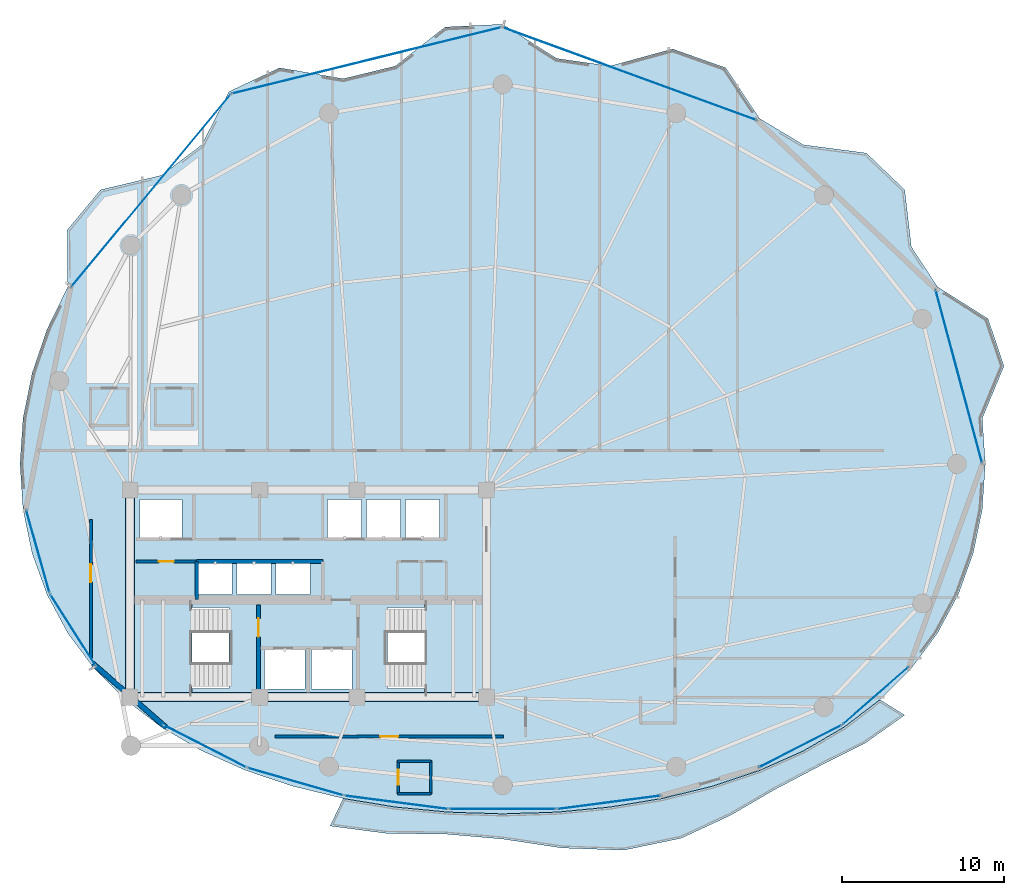
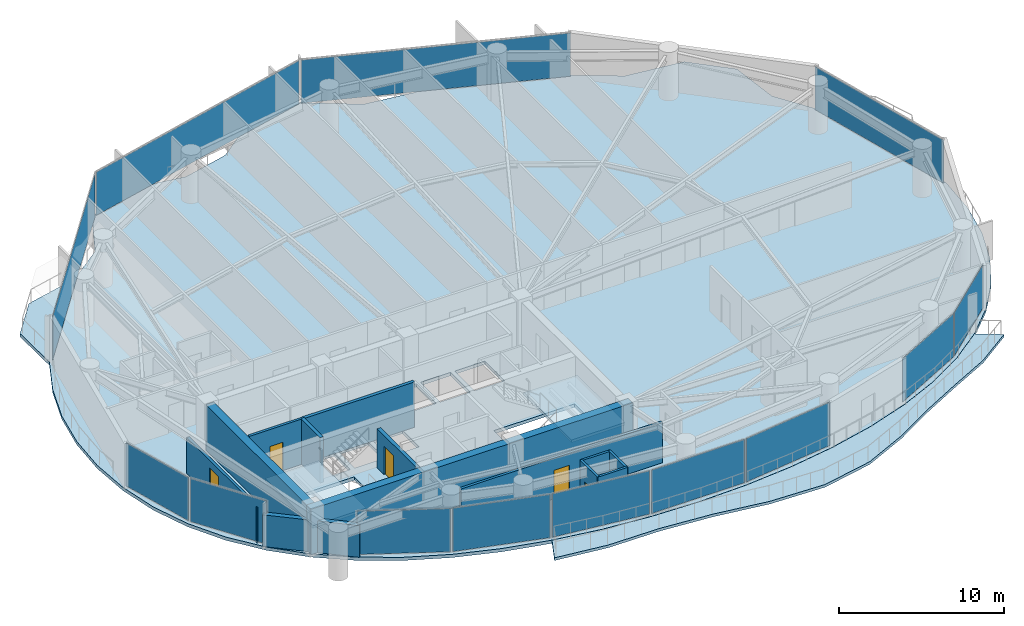
# One storey, part 22 of 28: 13 plates, 13 walls, 5 doors, 4 slabs, 5 openings, 15 elements without a shape of their own.
"""IFC4 building model written with IfcOpenShell, lengths in metres."""

import ifcopenshell
import ifcopenshell.guid

model = None  # the IFC model being written
_history = None  # IfcOwnerHistory: only IFC2X3 demands one
_inside = {}  # id of a spatial element -> (the spatial element, [elements in it])
_under = {}  # id of a project, library or spatial element -> (it, [spatial elements below it])
_declared = {}  # id of a project -> (the project, [libraries it declares])
_typed = {}  # id of a type object -> (the type object, [elements of that type])
_made_of = {}  # id of a material, layer set ... -> (it, [elements and type objects made of it])


def new_model(schema):
    """Start an empty IFC model of exactly this schema.

    Asked for "IFC4X3", IfcOpenShell would pick the latest addendum, in which some entities
    have other attributes; the version numbers below select the first issue.
    IFC2X3 requires an IfcOwnerHistory on every rooted entity: one is made here for all.
    """
    global model, _history
    if schema == "IFC4X3":
        model = ifcopenshell.file(schema_version=(4, 3, 0, 0))
    else:
        model = ifcopenshell.file(schema=schema)
    _inside.clear()
    _under.clear()
    _declared.clear()
    _typed.clear()
    _made_of.clear()
    _history = None
    if model.schema == "IFC2X3":
        org = make("IfcOrganization", Name="unknown")
        user = make(
            "IfcPersonAndOrganization",
            ThePerson=make("IfcPerson", FamilyName="unknown"),
            TheOrganization=org,
        )
        app = make(
            "IfcApplication",
            ApplicationDeveloper=org,
            Version="unknown",
            ApplicationFullName="unknown",
            ApplicationIdentifier="unknown",
        )
        _history = make(
            "IfcOwnerHistory",
            OwningUser=user,
            OwningApplication=app,
            ChangeAction="ADDED",
            CreationDate=0,
        )
    return model


def make(cls, **values):
    """One entity of the class cls with the attributes given. An attribute that is None is left unset."""
    return model.create_entity(
        cls, **{name: value for name, value in values.items() if value is not None}
    )


def rooted(cls, **values):
    """An entity with a GlobalId (a new one), such as an element, a storey or a relation."""
    return make(cls, GlobalId=ifcopenshell.guid.new(), OwnerHistory=_history, **values)


def si_unit(unit_type, name, prefix=None):
    """IfcSIUnit, for example si_unit("LENGTHUNIT", "METRE", prefix="MILLI")."""
    return make("IfcSIUnit", UnitType=unit_type, Prefix=prefix, Name=name)


def assignment(units):
    """IfcUnitAssignment: the units of a project."""
    return None if units is None else make("IfcUnitAssignment", Units=units)


def point(xyz):
    """IfcCartesianPoint."""
    return None if xyz is None else make("IfcCartesianPoint", Coordinates=xyz)


def direction(xyz):
    """IfcDirection."""
    return None if xyz is None else make("IfcDirection", DirectionRatios=xyz)


def frame(location, z_axis=None, x_axis=None):
    """IfcAxis2Placement3D, a coordinate frame: its origin and axes. An axis left out is left unset."""
    return make(
        "IfcAxis2Placement3D",
        Location=point(location),
        Axis=direction(z_axis),
        RefDirection=direction(x_axis),
    )


def frame_2d(location, x_axis=None):
    """IfcAxis2Placement2D, a coordinate frame in the plane: its origin and x axis."""
    return make(
        "IfcAxis2Placement2D", Location=point(location), RefDirection=direction(x_axis)
    )


def origin():
    """The frame at (0, 0, 0) with its axes left unset."""
    return frame((0.0, 0.0, 0.0))


def origin_2d():
    """The frame at (0, 0) in the plane with its x axis left unset."""
    return frame_2d((0.0, 0.0))


def place(relative_to, where):
    """IfcLocalPlacement: puts the frame where relative to a parent placement (None: the world)."""
    return make(
        "IfcLocalPlacement", PlacementRelTo=relative_to, RelativePlacement=where
    )


def context(
    kind, dimensions, precision=None, world=None, true_north=None, identifier=None
):
    """IfcGeometricRepresentationContext, for example the 3D "Model" context."""
    return make(
        "IfcGeometricRepresentationContext",
        ContextIdentifier=identifier,
        ContextType=kind,
        CoordinateSpaceDimension=dimensions,
        Precision=precision,
        WorldCoordinateSystem=world,
        TrueNorth=true_north,
    )


def subcontext(parent, identifier, kind, view, scale=None):
    """IfcGeometricRepresentationSubContext, for example "Body" below "Model"."""
    return make(
        "IfcGeometricRepresentationSubContext",
        ContextIdentifier=identifier,
        ContextType=kind,
        ParentContext=parent,
        TargetScale=scale,
        TargetView=view,
    )


def project(units=None, contexts=None):
    """IfcProject with its units and contexts."""
    return rooted(
        "IfcProject",
        Name="project",
        RepresentationContexts=contexts,
        UnitsInContext=assignment(units),
    )


def spatial(cls, under=None, at=None, **own):
    """A site, building, storey or space (cls), placed at a placement, below another one or the project."""
    s = rooted(cls, ObjectPlacement=at, **own)
    if under is not None:
        _under.setdefault(under.id(), (under, []))[1].append(s)
    return s


def polyline(points):
    """IfcPolyline through the points."""
    return make("IfcPolyline", Points=[point(p) for p in points])


def profile(cls, at=None, kind="AREA", **sizes):
    """A parametric profile (cls). Its sizes go by their IFC names, for example OverallWidth=200.0."""
    return make(cls, ProfileType=kind, Position=at, **sizes)


def rectangle(**sizes):
    """IfcRectangleProfileDef."""
    return profile("IfcRectangleProfileDef", **sizes)


def outline(outer, holes=None, kind="AREA"):
    """IfcArbitraryClosedProfileDef: a profile drawn as a closed curve; with holes, ...WithVoids."""
    if holes is None:
        return make("IfcArbitraryClosedProfileDef", ProfileType=kind, OuterCurve=outer)
    return make(
        "IfcArbitraryProfileDefWithVoids",
        ProfileType=kind,
        OuterCurve=outer,
        InnerCurves=holes,
    )


def extrude(swept, where, along, depth):
    """IfcExtrudedAreaSolid: the profile swept, set in the frame where, extruded along a direction by depth."""
    return make(
        "IfcExtrudedAreaSolid",
        SweptArea=swept,
        Position=where,
        ExtrudedDirection=direction(along),
        Depth=depth,
    )


def shape(context_of_items, identifier, shape_type, items):
    """IfcShapeRepresentation: the items that make up one representation, for example the "Body"."""
    return make(
        "IfcShapeRepresentation",
        ContextOfItems=context_of_items,
        RepresentationIdentifier=identifier,
        RepresentationType=shape_type,
        Items=items,
    )


def material(Name=None, Category=None):
    """IfcMaterial."""
    return make("IfcMaterial", Name=Name, Category=Category)


def layer(
    of_material, thickness, ventilated=None, Name=None, Category=None, Priority=None
):
    """IfcMaterialLayer: one layer of a wall or slab, of a material (None: an air gap)."""
    return make(
        "IfcMaterialLayer",
        Material=of_material,
        LayerThickness=thickness,
        IsVentilated=ventilated,
        Name=Name,
        Category=Category,
        Priority=Priority,
    )


def layer_set(layers, Name=None):
    """IfcMaterialLayerSet."""
    return make("IfcMaterialLayerSet", MaterialLayers=layers, LayerSetName=Name)


def made_of(thing, what):
    """Note that an element or type object is made of a material, layer set ...; save() writes the relation."""
    if what is not None:
        _made_of.setdefault(what.id(), (what, []))[1].append(thing)
    return thing


def type_object(cls, material=None, **own):
    """A type object (cls), such as IfcWallType, which elements share."""
    return made_of(rooted(cls, **own), material)


def element(
    cls,
    number,
    at=None,
    inside=None,
    cuts=None,
    type_object=None,
    material=None,
    context=None,
    identifier="Body",
    shape_type=None,
    held_by="IfcProductDefinitionShape",
    body=None,
    shapes=None,
    **own,
):
    """One element of the class cls, such as IfcWall. Its Tag is "e" and its number.

    at: its placement. inside: the storey or other place that contains it. cuts: it is an
    opening in that element (IfcRelVoidsElement). A single representation is given by context,
    identifier, shape_type and body (its items); several are given by shapes. held_by: the class
    of the entity that holds the representations. save() writes the other relations.
    """
    e = rooted(cls, Tag="e%d" % number, ObjectPlacement=at, **own)
    if body is not None:
        shapes = [shape(context, identifier, shape_type, body)]
    if shapes is not None:
        e.Representation = make(held_by, Representations=shapes)
    if inside is not None:
        _inside.setdefault(inside.id(), (inside, []))[1].append(e)
    if cuts is not None:
        rooted(
            "IfcRelVoidsElement", RelatingBuildingElement=cuts, RelatedOpeningElement=e
        )
    if type_object is not None:
        _typed.setdefault(type_object.id(), (type_object, []))[1].append(e)
    return made_of(e, material)


def fill(opening, filler):
    """IfcRelFillsElement: the door or window that sits in an opening."""
    return rooted(
        "IfcRelFillsElement",
        RelatingOpeningElement=opening,
        RelatedBuildingElement=filler,
    )


def aggregate(whole, parts):
    """IfcRelAggregates: a whole, such as a stair, and the parts it consists of."""
    return rooted("IfcRelAggregates", RelatingObject=whole, RelatedObjects=parts)


def save(model, path):
    """Write the relations noted so far, then the file.

    IfcRelAggregates (storeys below a building ...), IfcRelContainedInSpatialStructure (elements
    in a storey), IfcRelDefinesByType, IfcRelAssociatesMaterial and IfcRelDeclares: one each for
    every whole, place, type object, material and project.
    """
    for whole, parts in _under.values():
        aggregate(whole, parts)
    for where, things in _inside.values():
        rooted(
            "IfcRelContainedInSpatialStructure",
            RelatedElements=things,
            RelatingStructure=where,
        )
    for kind, things in _typed.values():
        rooted("IfcRelDefinesByType", RelatedObjects=things, RelatingType=kind)
    for what, things in _made_of.values():
        rooted("IfcRelAssociatesMaterial", RelatedObjects=things, RelatingMaterial=what)
    for by, libraries in _declared.values():
        rooted("IfcRelDeclares", RelatingContext=by, RelatedDefinitions=libraries)
    model.write(path)


model = new_model("IFC4")

# Units and contexts
model_context = context("Model", 3, precision=1e-05, world=origin(), true_north=direction((0.0, 1.0)))
body_context = subcontext(model_context, "Body", "Model", "MODEL_VIEW")
ifc_project = project(units=[si_unit("LENGTHUNIT", "METRE"), si_unit("AREAUNIT", "SQUARE_METRE"), si_unit("VOLUMEUNIT", "CUBIC_METRE"), si_unit("PLANEANGLEUNIT", "RADIAN"), si_unit("MASSUNIT", "GRAM", prefix="KILO")], contexts=[model_context])

# Site, building, storey
site_placement = place(None, origin())
site = spatial("IfcSite", under=ifc_project, at=site_placement, CompositionType="ELEMENT")
building_placement = place(site_placement, origin())
building = spatial("IfcBuilding", under=site, at=building_placement, Name="Kazevale Care Tower and Concert Hall", CompositionType="ELEMENT")
storey_placement = place(building_placement, frame((0.0, 0.0, 142.199951171875)))
storey = spatial("IfcBuildingStorey", under=building, at=storey_placement, Name="L37", CompositionType="ELEMENT", Elevation=142.199951171875)

# Curtain wall, plate
ifc_material_1 = material(Name="Aluminium 6063-T6 and Low-E Glass", Category="aluminium")
ifc_layer_1 = layer(ifc_material_1, 0.179931640625)
ifc_layer_set_1 = layer_set([ifc_layer_1], Name="Aluminium 6063-T6 and Low-E Glass")
curtain_wall_type_1 = type_object("IfcCurtainWallType", Name="Convex Checkerboard Finned Curtain Wall CW-2", PredefinedType="NOTDEFINED", material=ifc_layer_set_1)
curtain_wall_1_placement = place(storey_placement, origin())
curtain_wall_1 = element("IfcCurtainWall", 1, at=curtain_wall_1_placement, inside=storey, type_object=curtain_wall_type_1, Name="cw:L37:f14", PredefinedType="NOTDEFINED")
ifc_material_2 = material(Name="Low-E Laminated Glass", Category="glass")
ifc_layer_2 = layer(ifc_material_2, 0.028076171875)
ifc_layer_set_2 = layer_set([ifc_layer_2], Name="Low-E Laminated Glass")
plate_type_1 = type_object("IfcPlateType", Name="CW-2 Low-E Glazing Panel 28mm", PredefinedType="CURTAIN_PANEL", material=ifc_layer_set_2)
plate_1_placement = place(storey_placement, frame((23.285888671875, 54.87255859375, 0.074951171875), z_axis=(0.0, 0.0, 1.0), x_axis=(0.637984048061, 0.770049579196, 0.0)))
plate_1 = element("IfcPlate", 2, at=plate_1_placement, type_object=plate_type_1, Name="CW-2 panel 1.1", PredefinedType="CURTAIN_PANEL", context=body_context, shape_type="SweptSolid", body=[
    extrude(rectangle(XDim=15.3701171875, YDim=0.028076171875, at=origin_2d()), origin(), (0.0, 0.0, 1.0), 3.2099609375),
])
aggregate(curtain_wall_1, [plate_1])

curtain_wall_2_placement = place(storey_placement, origin())
curtain_wall_2 = element("IfcCurtainWall", 3, at=curtain_wall_2_placement, inside=storey, type_object=curtain_wall_type_1, Name="cw:L37:f16", PredefinedType="NOTDEFINED")
plate_2_placement = place(storey_placement, frame((52.839599609375, 62.08544921875, 0.074951171875), z_axis=(0.0, 0.0, 1.0), x_axis=(0.939283008641, -0.343143453498, 0.0)))
plate_2 = element("IfcPlate", 4, at=plate_2_placement, type_object=plate_type_1, Name="CW-2 panel 1.1", PredefinedType="CURTAIN_PANEL", context=body_context, shape_type="SweptSolid", body=[
    extrude(rectangle(XDim=16.634765625, YDim=0.028076171875, at=origin_2d()), origin(), (0.0, 0.0, 1.0), 3.2099609375),
])
aggregate(curtain_wall_2, [plate_2])

ifc_layer_3 = layer(ifc_material_1, 0.179931640625)
ifc_layer_set_3 = layer_set([ifc_layer_3], Name="Aluminium 6063-T6 and Low-E Glass")
curtain_wall_type_2 = type_object("IfcCurtainWallType", Name="Convex Recessed Sunroom Curtain Wall CW-3", PredefinedType="NOTDEFINED", material=ifc_layer_set_3)
curtain_wall_3_placement = place(storey_placement, origin())
curtain_wall_3 = element("IfcCurtainWall", 5, at=curtain_wall_3_placement, inside=storey, type_object=curtain_wall_type_2, Name="cw:L37:f15", PredefinedType="NOTDEFINED")
ifc_layer_4 = layer(ifc_material_2, 0.028076171875)
ifc_layer_set_4 = layer_set([ifc_layer_4], Name="Low-E Laminated Glass")
plate_type_2 = type_object("IfcPlateType", Name="CW-3 Low-E Glazing Panel 28mm", PredefinedType="CURTAIN_PANEL", material=ifc_layer_set_4)
plate_3_placement = place(storey_placement, frame((36.595947265625, 62.909423828125, 0.074951171875), z_axis=(0.0, 0.0, 1.0), x_axis=(0.970997657217, 0.239088999495, 0.0)))
plate_3 = element("IfcPlate", 6, at=plate_3_placement, type_object=plate_type_2, Name="CW-3 panel 1.1", PredefinedType="CURTAIN_PANEL", context=body_context, shape_type="SweptSolid", body=[
    extrude(rectangle(XDim=17.061279296875, YDim=0.028076171875, at=origin_2d()), origin(), (0.0, 0.0, 1.0), 3.2099609375),
])
aggregate(curtain_wall_3, [plate_3])

ifc_layer_5 = layer(ifc_material_1, 0.179931640625)
ifc_layer_set_5 = layer_set([ifc_layer_5], Name="Aluminium 6063-T6 and Low-E Glass")
curtain_wall_type_3 = type_object("IfcCurtainWallType", Name="Waist & Upper Residential Curtain Wall CW-4", PredefinedType="NOTDEFINED", material=ifc_layer_set_5)
curtain_wall_4_placement = place(storey_placement, origin())
curtain_wall_4 = element("IfcCurtainWall", 7, at=curtain_wall_4_placement, inside=storey, type_object=curtain_wall_type_3, Name="cw:L37:f11", PredefinedType="NOTDEFINED")
ifc_layer_6 = layer(ifc_material_2, 0.030029296875)
ifc_layer_set_6 = layer_set([ifc_layer_6], Name="Low-E Laminated Glass")
plate_type_3 = type_object("IfcPlateType", Name="CW-4 Low-E Glazing Panel 30mm", PredefinedType="CURTAIN_PANEL", material=ifc_layer_set_6)
plate_4_placement = place(storey_placement, frame((18.470458984375, 27.75244140625, 0.080078125), z_axis=(0.0, 0.0, 1.0), x_axis=(-0.537239193981, 0.843429930967, 0.0)))
plate_4 = element("IfcPlate", 8, at=plate_4_placement, type_object=plate_type_3, Name="CW-4 panel 1.1", PredefinedType="CURTAIN_PANEL", context=body_context, shape_type="SweptSolid", body=[
    extrude(rectangle(XDim=5.176513671875, YDim=0.030029296875, at=origin_2d()), origin(), (0.0, 0.0, 1.0), 3.199951171875),
])
aggregate(curtain_wall_4, [plate_4])

curtain_wall_5_placement = place(storey_placement, origin())
curtain_wall_5 = element("IfcCurtainWall", 9, at=curtain_wall_5_placement, inside=storey, type_object=curtain_wall_type_3, Name="cw:L37:f12", PredefinedType="NOTDEFINED")
plate_5_placement = place(storey_placement, frame((16.301513671875, 32.612548828125, 0.080078125), z_axis=(0.0, 0.0, 1.0), x_axis=(-0.271284948278, 0.962499078876, 0.0)))
plate_5 = element("IfcPlate", 10, at=plate_5_placement, type_object=plate_type_3, Name="CW-4 panel 1.1", PredefinedType="CURTAIN_PANEL", context=body_context, shape_type="SweptSolid", body=[
    extrude(rectangle(XDim=5.262451171875, YDim=0.030029296875, at=origin_2d()), origin(), (0.0, 0.0, 1.0), 3.199951171875),
])
aggregate(curtain_wall_5, [plate_5])

curtain_wall_6_placement = place(storey_placement, origin())
curtain_wall_6 = element("IfcCurtainWall", 11, at=curtain_wall_6_placement, inside=storey, type_object=curtain_wall_type_3, Name="cw:L37:f18", PredefinedType="NOTDEFINED")
plate_6_placement = place(storey_placement, frame((73.169921875, 43.401611328125, 0.080078125), z_axis=(0.0, 0.0, 1.0), x_axis=(0.259264848961, -0.965806263229, 0.0)))
plate_6 = element("IfcPlate", 12, at=plate_6_placement, type_object=plate_type_3, Name="CW-4 panel 1.1", PredefinedType="CURTAIN_PANEL", context=body_context, shape_type="SweptSolid", body=[
    extrude(rectangle(XDim=11.025390625, YDim=0.030029296875, at=origin_2d()), origin(), (0.0, 0.0, 1.0), 3.199951171875),
])
aggregate(curtain_wall_6, [plate_6])

ifc_layer_7 = layer(ifc_material_1, 0.179931640625)
ifc_layer_set_7 = layer_set([ifc_layer_7], Name="Aluminium 6063-T6 and Low-E Glass")
curtain_wall_type_4 = type_object("IfcCurtainWallType", Name="Sheltered Concave Balcony Curtain Wall CW-5", PredefinedType="NOTDEFINED", material=ifc_layer_set_7)
curtain_wall_7_placement = place(storey_placement, origin())
curtain_wall_7 = element("IfcCurtainWall", 13, at=curtain_wall_7_placement, inside=storey, type_object=curtain_wall_type_4, Name="cw:L37:f02", PredefinedType="NOTDEFINED")
ifc_layer_8 = layer(ifc_material_2, 0.02587890625)
ifc_layer_set_8 = layer_set([ifc_layer_8], Name="Low-E Laminated Glass")
plate_type_4 = type_object("IfcPlateType", Name="CW-5 Low-E Glazing Panel 26mm", PredefinedType="CURTAIN_PANEL", material=ifc_layer_set_8)
plate_7_placement = place(storey_placement, frame((68.033447265625, 23.699951171875, 0.074951171875), z_axis=(0.0, 0.0, 1.0), x_axis=(-0.753062779437, -0.657948668382, 0.0)))
plate_7 = element("IfcPlate", 14, at=plate_7_placement, type_object=plate_type_4, Name="CW-5 panel 1.1", PredefinedType="CURTAIN_PANEL", context=body_context, shape_type="SweptSolid", body=[
    extrude(rectangle(XDim=5.32763671875, YDim=0.02587890625, at=origin_2d()), origin(), (0.0, 0.0, 1.0), 3.2099609375),
])
aggregate(curtain_wall_7, [plate_7])

curtain_wall_8_placement = place(storey_placement, origin())
curtain_wall_8 = element("IfcCurtainWall", 15, at=curtain_wall_8_placement, inside=storey, type_object=curtain_wall_type_4, Name="cw:L37:f03", PredefinedType="NOTDEFINED")
plate_8_placement = place(storey_placement, frame((63.3798828125, 20.571533203125, 0.074951171875), z_axis=(0.0, 0.0, 1.0), x_axis=(-0.890126646051, -0.455713236575, 0.0)))
plate_8 = element("IfcPlate", 16, at=plate_8_placement, type_object=plate_type_4, Name="CW-5 panel 1.1", PredefinedType="CURTAIN_PANEL", context=body_context, shape_type="SweptSolid", body=[
    extrude(rectangle(XDim=5.671630859375, YDim=0.02587890625, at=origin_2d()), origin(), (0.0, 0.0, 1.0), 3.2099609375),
])
aggregate(curtain_wall_8, [plate_8])

curtain_wall_9_placement = place(storey_placement, origin())
curtain_wall_9 = element("IfcCurtainWall", 17, at=curtain_wall_9_placement, inside=storey, type_object=curtain_wall_type_4, Name="cw:L37:f05", PredefinedType="NOTDEFINED")
plate_9_placement = place(storey_placement, frame((51.5654296875, 17.1044921875, 0.074951171875), z_axis=(0.0, 0.0, 1.0), x_axis=(-0.991685519364, -0.12868500567, 0.0)))
plate_9 = element("IfcPlate", 18, at=plate_9_placement, type_object=plate_type_4, Name="CW-5 panel 1.1", PredefinedType="CURTAIN_PANEL", context=body_context, shape_type="SweptSolid", body=[
    extrude(rectangle(XDim=6.38525390625, YDim=0.02587890625, at=origin_2d()), origin(), (0.0, 0.0, 1.0), 3.2099609375),
])
aggregate(curtain_wall_9, [plate_9])

curtain_wall_10_placement = place(storey_placement, origin())
curtain_wall_10 = element("IfcCurtainWall", 19, at=curtain_wall_10_placement, inside=storey, type_object=curtain_wall_type_4, Name="cw:L37:f06", PredefinedType="NOTDEFINED")
plate_10_placement = place(storey_placement, frame((45.0, 16.68408203125, 0.074951171875), z_axis=(0.0, 0.0, 1.0), x_axis=(-1.0, 0.0, 0.0)))
plate_10 = element("IfcPlate", 20, at=plate_10_placement, type_object=plate_type_4, Name="CW-5 panel 1.1", PredefinedType="CURTAIN_PANEL", context=body_context, shape_type="SweptSolid", body=[
    extrude(rectangle(XDim=6.5, YDim=0.02587890625, at=origin_2d()), origin(), (0.0, 0.0, 1.0), 3.2099609375),
])
aggregate(curtain_wall_10, [plate_10])

curtain_wall_11_placement = place(storey_placement, origin())
curtain_wall_11 = element("IfcCurtainWall", 21, at=curtain_wall_11_placement, inside=storey, type_object=curtain_wall_type_4, Name="cw:L37:f07", PredefinedType="NOTDEFINED")
plate_11_placement = place(storey_placement, frame((38.4345703125, 17.1044921875, 0.074951171875), z_axis=(0.0, 0.0, 1.0), x_axis=(-0.991685519364, 0.12868500567, 0.0)))
plate_11 = element("IfcPlate", 22, at=plate_11_placement, type_object=plate_type_4, Name="CW-5 panel 1.1", PredefinedType="CURTAIN_PANEL", context=body_context, shape_type="SweptSolid", body=[
    extrude(rectangle(XDim=6.38525390625, YDim=0.02587890625, at=origin_2d()), origin(), (0.0, 0.0, 1.0), 3.2099609375),
])
aggregate(curtain_wall_11, [plate_11])

curtain_wall_12_placement = place(storey_placement, origin())
curtain_wall_12 = element("IfcCurtainWall", 23, at=curtain_wall_12_placement, inside=storey, type_object=curtain_wall_type_4, Name="cw:L37:f08", PredefinedType="NOTDEFINED")
plate_12_placement = place(storey_placement, frame((32.202392578125, 18.385009765625, 0.074951171875), z_axis=(0.0, 0.0, 1.0), x_axis=(-0.961074102639, 0.276290733172, 0.0)))
plate_12 = element("IfcPlate", 24, at=plate_12_placement, type_object=plate_type_4, Name="CW-5 panel 1.1", PredefinedType="CURTAIN_PANEL", context=body_context, shape_type="SweptSolid", body=[
    extrude(rectangle(XDim=6.075439453125, YDim=0.02587890625, at=origin_2d()), origin(), (0.0, 0.0, 1.0), 3.2099609375),
])
aggregate(curtain_wall_12, [plate_12])

curtain_wall_13_placement = place(storey_placement, origin())
curtain_wall_13 = element("IfcCurtainWall", 25, at=curtain_wall_13_placement, inside=storey, type_object=curtain_wall_type_4, Name="cw:L37:f09", PredefinedType="NOTDEFINED")
plate_13_placement = place(storey_placement, frame((26.6201171875, 20.571533203125, 0.074951171875), z_axis=(0.0, 0.0, 1.0), x_axis=(-0.890126646051, 0.455713236575, 0.0)))
plate_13 = element("IfcPlate", 26, at=plate_13_placement, type_object=plate_type_4, Name="CW-5 panel 1.1", PredefinedType="CURTAIN_PANEL", context=body_context, shape_type="SweptSolid", body=[
    extrude(rectangle(XDim=5.671630859375, YDim=0.02587890625, at=origin_2d()), origin(), (0.0, 0.0, 1.0), 3.2099609375),
])
aggregate(curtain_wall_13, [plate_13])

# Slab
ifc_material_3 = material(Name="Concrete C40", Category="concrete")
ifc_layer_9 = layer(ifc_material_3, 0.199951171875)
ifc_layer_set_9 = layer_set([ifc_layer_9], Name="Concrete C40")
slab_type_1 = type_object("IfcSlabType", Name="Sinusoidal Concave Balcony Slab 200", PredefinedType="USERDEFINED", material=ifc_layer_set_9)
slab_1_placement = place(storey_placement, frame((0.0, 0.0, -0.199951171875)))
element("IfcSlab", 27, at=slab_1_placement, inside=storey, type_object=slab_type_1, Name="slab:L37:bal", ObjectType="BALCONY", PredefinedType="USERDEFINED", context=body_context, shape_type="SweptSolid", body=[
    extrude(outline(polyline([(69.8251953125, 22.492919921875), (67.36572265625, 20.75), (64.569091796875, 19.349365234375), (61.829833984375, 17.91357421875), (59.088134765625, 16.315185546875), (56.014892578125, 14.887939453125), (52.4658203125, 14.152587890625), (48.680419921875, 14.2880859375), (45.0, 14.841796875), (41.453369140625, 15.14990234375), (37.858154296875, 15.1875), (34.346435546875, 15.645751953125), (35.155517578125, 17.343505859375), (35.15673828125, 17.34326171875), (38.368408203125, 16.81396484375), (41.6630859375, 16.49951171875), (45.0, 16.39501953125), (48.3369140625, 16.49951171875), (51.631591796875, 16.81396484375), (54.84326171875, 17.34326171875), (57.93115234375, 18.09375), (60.8564453125, 19.07275390625), (63.582275390625, 20.28759765625), (66.07470703125, 21.74365234375), (68.302001953125, 23.442626953125), (68.302978515625, 23.44384765625), (69.8251953125, 22.492919921875)])), origin(), (0.0, 0.0, 1.0), 0.199951171875),
])

# Stair, slab
stair_type = type_object("IfcStairType", Name="Exit Stair Assembly ST1-Z2", PredefinedType="HALF_TURN_STAIR", material=ifc_material_3)
stair_1_placement = place(storey_placement, origin())
stair_1 = element("IfcStair", 28, at=stair_1_placement, inside=storey, type_object=stair_type, Name="stair:L37:ST1", PredefinedType="HALF_TURN_STAIR")
ifc_layer_10 = layer(ifc_material_3, 0.199951171875)
ifc_layer_set_10 = layer_set([ifc_layer_10], Name="Concrete C40")
slab_type_2 = type_object("IfcSlabType", Name="Stair Half-Landing Slab ST1-Z2", PredefinedType="LANDING", material=ifc_layer_set_10)
slab_2_placement = place(storey_placement, frame((0.0, 0.0, 1.60009765625)))
slab_2 = element("IfcSlab", 29, at=slab_2_placement, type_object=slab_type_2, Name="ST1-Z2 landing 1", PredefinedType="LANDING", context=body_context, shape_type="SweptSolid", body=[
    extrude(outline(polyline([(22.050048828125, 23.699951171875), (25.81005859375, 23.699951171875), (25.81005859375, 29.5), (22.050048828125, 29.5), (22.050048828125, 23.699951171875)])), origin(), (0.0, 0.0, 1.0), 0.199951171875),
])
aggregate(stair_1, [slab_2])

stair_2_placement = place(storey_placement, origin())
stair_2 = element("IfcStair", 30, at=stair_2_placement, inside=storey, type_object=stair_type, Name="stair:L37:ST2", PredefinedType="HALF_TURN_STAIR")
slab_3_placement = place(storey_placement, frame((0.0, 0.0, 1.60009765625)))
slab_3 = element("IfcSlab", 31, at=slab_3_placement, type_object=slab_type_2, Name="ST1-Z2 landing 1", PredefinedType="LANDING", context=body_context, shape_type="SweptSolid", body=[
    extrude(outline(polyline([(40.18994140625, 23.699951171875), (43.949951171875, 23.699951171875), (43.949951171875, 29.5), (40.18994140625, 29.5), (40.18994140625, 23.699951171875)])), origin(), (0.0, 0.0, 1.0), 0.199951171875),
])
aggregate(stair_2, [slab_3])

# Slab
ifc_layer_11 = layer(ifc_material_3, 0.239990234375)
ifc_layer_set_11 = layer_set([ifc_layer_11], Name="Concrete C40")
slab_type_3 = type_object("IfcSlabType", Name="Tower Typical Floor Slab 240", PredefinedType="FLOOR", material=ifc_layer_set_11)
slab_4_placement = place(storey_placement, frame((0.0, 0.0, -0.239990234375)))
element("IfcSlab", 32, at=slab_4_placement, inside=storey, type_object=slab_type_3, Name="slab:L37:tw:1", PredefinedType="FLOOR", context=body_context, shape_type="SweptSolid", body=[
    extrude(outline(polyline([(74.800048828125, 38.0), (74.612548828125, 40.821533203125), (75.9541015625, 44.04150390625), (74.96826171875, 46.967041015625), (71.848876953125, 48.933837890625), (70.232421875, 51.4072265625), (69.822998046875, 54.927734375), (67.45068359375, 57.197998046875), (63.580078125, 57.7021484375), (60.8544921875, 59.33740234375), (58.77587890625, 62.461181640625), (55.486328125, 63.62646484375), (51.631103515625, 62.568115234375), (48.33642578125, 63.04150390625), (45.0, 65.14990234375), (41.445068359375, 64.979248046875), (38.368896484375, 62.568115234375), (35.15771484375, 61.785888671875), (31.22412109375, 62.461181640625), (28.10791015625, 60.988525390625), (26.419921875, 57.7021484375), (23.92822265625, 55.819091796875), (20.177001953125, 54.927734375), (18.116455078125, 52.444580078125), (18.151123046875, 48.933837890625), (16.872314453125, 46.322998046875), (15.947021484375, 43.607421875), (15.387451171875, 40.821533203125), (15.199951171875, 38.0), (15.387451171875, 35.197265625), (15.947021484375, 32.490234375), (16.872314453125, 29.92919921875), (18.151123046875, 27.551513671875), (19.767578125, 25.384521484375), (21.701416015625, 23.446533203125), (23.92822265625, 21.747802734375), (26.419921875, 20.2919921875), (29.1455078125, 19.077392578125), (32.0703125, 18.098388671875), (35.15771484375, 17.34814453125), (38.368896484375, 16.819091796875), (41.66357421875, 16.50439453125), (45.0, 16.39990234375), (48.33642578125, 16.50439453125), (51.631103515625, 16.819091796875), (54.84228515625, 17.34814453125), (57.9296875, 18.098388671875), (60.8544921875, 19.077392578125), (63.580078125, 20.2919921875), (66.07177734375, 21.747802734375), (68.298583984375, 23.446533203125), (70.232421875, 25.384521484375), (71.848876953125, 27.551513671875), (73.127685546875, 29.92919921875), (74.052978515625, 32.490234375), (74.612548828125, 35.197265625), (74.800048828125, 38.0)]), holes=[polyline([(22.449951171875, 24.14990234375), (28.110107421875, 24.14990234375), (28.110107421875, 29.14990234375), (22.449951171875, 29.14990234375), (22.449951171875, 24.14990234375)]), polyline([(37.889892578125, 24.14990234375), (43.550048828125, 24.14990234375), (43.550048828125, 29.14990234375), (37.889892578125, 29.14990234375), (37.889892578125, 24.14990234375)]), polyline([(30.300048828125, 24.10009765625), (32.800048828125, 24.10009765625), (32.800048828125, 26.60009765625), (30.300048828125, 26.60009765625), (30.300048828125, 24.10009765625)]), polyline([(33.199951171875, 24.10009765625), (35.699951171875, 24.10009765625), (35.699951171875, 26.60009765625), (33.199951171875, 26.60009765625), (33.199951171875, 24.10009765625)]), polyline([(22.60009765625, 33.39990234375), (25.199951171875, 33.39990234375), (25.199951171875, 35.800048828125), (22.60009765625, 35.800048828125), (22.60009765625, 33.39990234375)]), polyline([(34.199951171875, 33.39990234375), (36.300048828125, 33.39990234375), (36.300048828125, 35.800048828125), (34.199951171875, 35.800048828125), (34.199951171875, 33.39990234375)]), polyline([(36.60009765625, 33.39990234375), (38.699951171875, 33.39990234375), (38.699951171875, 35.800048828125), (36.60009765625, 35.800048828125), (36.60009765625, 33.39990234375)]), polyline([(39.0, 33.39990234375), (41.10009765625, 33.39990234375), (41.10009765625, 35.800048828125), (39.0, 35.800048828125), (39.0, 33.39990234375)]), polyline([(26.199951171875, 29.949951171875), (28.300048828125, 29.949951171875), (28.300048828125, 31.949951171875), (26.199951171875, 31.949951171875), (26.199951171875, 29.949951171875)]), polyline([(28.60009765625, 29.949951171875), (30.699951171875, 29.949951171875), (30.699951171875, 31.949951171875), (28.60009765625, 31.949951171875), (28.60009765625, 29.949951171875)]), polyline([(31.0, 29.949951171875), (33.10009765625, 29.949951171875), (33.10009765625, 31.949951171875), (31.0, 31.949951171875), (31.0, 29.949951171875)])]), origin(), (0.0, 0.0, 1.0), 0.239990234375),
])

# Walls
ifc_material_4 = material(Name="Concrete C60", Category="concrete")
ifc_layer_12 = layer(ifc_material_4, 0.550048828125)
ifc_layer_set_12 = layer_set([ifc_layer_12], Name="Concrete C60")
wall_type_1 = type_object("IfcWallType", Name="Core Shear Wall 550 C60", PredefinedType="SHEAR", material=ifc_layer_set_12)
wall_1_placement = place(storey_placement, frame((21.72509765625, 23.60009765625, 0.0), z_axis=(0.0, 0.0, 1.0), x_axis=(1.0, 0.0, 0.0)))
element("IfcWall", 33, at=wall_1_placement, inside=storey, type_object=wall_type_1, Name="wall:L37:core:S", PredefinedType="SHEAR", context=body_context, shape_type="SweptSolid", body=[
    extrude(rectangle(XDim=22.5498046875, YDim=0.550048828125, at=frame_2d((11.27490234375, 0.0))), origin(), (0.0, 0.0, 1.0), 3.360107421875),
])
wall_2_placement = place(storey_placement, frame((22.0, 23.875, 0.0), z_axis=(0.0, 0.0, 1.0), x_axis=(0.0, 1.0, 0.0)))
element("IfcWall", 34, at=wall_2_placement, inside=storey, type_object=wall_type_1, Name="wall:L37:core:W", PredefinedType="SHEAR", context=body_context, shape_type="SweptSolid", body=[
    extrude(rectangle(XDim=12.25, YDim=0.550048828125, at=frame_2d((6.125, 0.0))), origin(), (0.0, 0.0, 1.0), 3.360107421875),
])
ifc_layer_13 = layer(ifc_material_3, 0.219970703125)
ifc_layer_set_13 = layer_set([ifc_layer_13], Name="Concrete C40")
wall_type_2 = type_object("IfcWallType", Name="Elevator Hoistway Shaft Wall 220", PredefinedType="SOLIDWALL", material=ifc_layer_set_13)
wall_3_placement = place(storey_placement, frame((26.10009765625, 29.6201171875, 0.0), z_axis=(0.0, 0.0, 1.0), x_axis=(0.0, 1.0, 0.0)))
element("IfcWall", 35, at=wall_3_placement, inside=storey, type_object=wall_type_2, Name="wall:L37:c_ph_w", PredefinedType="SOLIDWALL", context=body_context, shape_type="SweptSolid", body=[
    extrude(rectangle(XDim=2.35986328125, YDim=0.219970703125, at=frame_2d((1.179931640625, 0.0))), origin(), (0.0, 0.0, 1.0), 3.360107421875),
])
wall_4_placement = place(storey_placement, frame((26.10009765625, 31.97998046875, 0.0), z_axis=(0.0, 0.0, 1.0), x_axis=(1.0, 0.0, 0.0)))
element("IfcWall", 36, at=wall_4_placement, inside=storey, type_object=wall_type_2, Name="wall:L37:c_ph_n", PredefinedType="SOLIDWALL", context=body_context, shape_type="SweptSolid", body=[
    extrude(rectangle(XDim=7.7998046875, YDim=0.219970703125, at=frame_2d((3.89990234375, 0.0))), origin(), (0.0, 0.0, 1.0), 3.360107421875),
])

# Wall, opening, door
ifc_material_5 = material(Name="Concrete C40 and Acoustic Gypsum", Category="concrete")
ifc_layer_14 = layer(ifc_material_5, 0.179931640625)
ifc_layer_set_14 = layer_set([ifc_layer_14], Name="Concrete C40 and Acoustic Gypsum")
wall_type_3 = type_object("IfcWallType", Name="Fire-Rated Corridor & Party Wall 180", PredefinedType="PARTITIONING", material=ifc_layer_set_14)
wall_5_placement = place(storey_placement, frame((22.35009765625, 31.97998046875, 0.0), z_axis=(0.0, 0.0, 1.0), x_axis=(1.0, 0.0, 0.0)))
wall_5 = element("IfcWall", 37, at=wall_5_placement, inside=storey, type_object=wall_type_3, Name="wall:L37:ka_wn1", PredefinedType="PARTITIONING", context=body_context, shape_type="SweptSolid", body=[
    extrude(rectangle(XDim=3.75, YDim=0.179931640625, at=frame_2d((1.875, 0.0))), origin(), (0.0, 0.0, 1.0), 3.360107421875),
])
opening_1_placement = place(wall_5_placement, frame((1.425048828125, 0.0, 0.0)))
opening_1 = element("IfcOpeningElement", 38, at=opening_1_placement, cuts=wall_5, Name="Opening ID-900", PredefinedType="OPENING", context=body_context, shape_type="SweptSolid", body=[
    extrude(rectangle(XDim=0.919921875, YDim=2.10009765625, at=frame_2d((0.4599609375, 1.050048828125))), frame((0.0, 0.099853515625, 0.0), z_axis=(0.0, -1.0, 0.0), x_axis=(1.0, 0.0, 0.0)), (0.0, 0.0, 1.0), 0.199951171875),
])
ifc_material_6 = material(Name="Oak Timber Fire Leaf", Category="wood")
door_type_1 = type_object("IfcDoorType", Name="Bathroom & Service Door 920x2100", OperationType="NOTDEFINED", PredefinedType="DOOR", material=ifc_material_6)
door_1_placement = place(opening_1_placement, origin())
door_1 = element("IfcDoor", 39, at=door_1_placement, inside=storey, type_object=door_type_1, Name="door:L37:d_kaw", OperationType="SINGLE_SWING_LEFT", OverallHeight=2.10009765625, OverallWidth=0.919921875, PredefinedType="DOOR", context=body_context, shape_type="SweptSolid", body=[
    extrude(rectangle(XDim=0.919921875, YDim=2.10009765625, at=frame_2d((0.4599609375, 1.050048828125))), frame((0.0, 0.02490234375, 0.0), z_axis=(0.0, -1.0, 0.0), x_axis=(1.0, 0.0, 0.0)), (0.0, 0.0, 1.0), 0.050048828125),
])
fill(opening_1, door_1)

wall_6_placement = place(storey_placement, frame((45.06494140625, 21.175048828125, 0.0), z_axis=(0.0, 0.0, 1.0), x_axis=(-1.0, 0.0, 0.0)))
wall_6 = element("IfcWall", 40, at=wall_6_placement, inside=storey, type_object=wall_type_3, Name="wall:L37:auto_019", PredefinedType="PARTITIONING", context=body_context, shape_type="SweptSolid", body=[
    extrude(rectangle(XDim=14.1298828125, YDim=0.179931640625, at=frame_2d((7.06494140625, 0.0))), origin(), (0.0, 0.0, 1.0), 2.99609375),
])
opening_2_placement = place(wall_6_placement, frame((6.514892578125, 0.0, 0.0)))
opening_2 = element("IfcOpeningElement", 41, at=opening_2_placement, cuts=wall_6, Name="Opening ID-1100", PredefinedType="OPENING", context=body_context, shape_type="SweptSolid", body=[
    extrude(rectangle(XDim=1.10009765625, YDim=2.10009765625, at=frame_2d((0.550048828125, 1.050048828125))), frame((0.0, 0.099853515625, 0.0), z_axis=(0.0, -1.0, 0.0), x_axis=(1.0, 0.0, 0.0)), (0.0, 0.0, 1.0), 0.199951171875),
])
door_type_2 = type_object("IfcDoorType", Name="Care Bedroom Accessible Door 1100x2100", OperationType="NOTDEFINED", PredefinedType="DOOR", material=ifc_material_6)
door_2_placement = place(opening_2_placement, origin())
door_2 = element("IfcDoor", 42, at=door_2_placement, inside=storey, type_object=door_type_2, Name="door:L37:ad_019", OperationType="SINGLE_SWING_LEFT", OverallHeight=2.10009765625, OverallWidth=1.10009765625, PredefinedType="DOOR", context=body_context, shape_type="SweptSolid", body=[
    extrude(rectangle(XDim=1.10009765625, YDim=2.10009765625, at=frame_2d((0.550048828125, 1.050048828125))), frame((0.0, 0.02490234375, 0.0), z_axis=(0.0, -1.0, 0.0), x_axis=(1.0, 0.0, 0.0)), (0.0, 0.0, 1.0), 0.050048828125),
])
fill(opening_2, door_2)

wall_7_placement = place(storey_placement, frame((19.574951171875, 26.028564453125, 0.0), z_axis=(0.0, 0.0, 1.0), x_axis=(0.0, 1.0, 0.0)))
wall_7 = element("IfcWall", 43, at=wall_7_placement, inside=storey, type_object=wall_type_3, Name="wall:L37:auto_020", PredefinedType="PARTITIONING", context=body_context, shape_type="SweptSolid", body=[
    extrude(rectangle(XDim=8.536376953125, YDim=0.179931640625, at=frame_2d((4.26806640625, 0.0))), origin(), (0.0, 0.0, 1.0), 2.656982421875),
])
opening_3_placement = place(wall_7_placement, frame((4.6708984375, 0.0, 0.0)))
opening_3 = element("IfcOpeningElement", 44, at=opening_3_placement, cuts=wall_7, Name="Opening ID-1100", PredefinedType="OPENING", context=body_context, shape_type="SweptSolid", body=[
    extrude(rectangle(XDim=1.10009765625, YDim=2.10009765625, at=frame_2d((0.550048828125, 1.050048828125))), frame((0.0, 0.099853515625, 0.0), z_axis=(0.0, -1.0, 0.0), x_axis=(1.0, 0.0, 0.0)), (0.0, 0.0, 1.0), 0.199951171875),
])
door_3_placement = place(opening_3_placement, origin())
door_3 = element("IfcDoor", 45, at=door_3_placement, inside=storey, type_object=door_type_2, Name="door:L37:ad_020", OperationType="SINGLE_SWING_LEFT", OverallHeight=2.10009765625, OverallWidth=1.10009765625, PredefinedType="DOOR", context=body_context, shape_type="SweptSolid", body=[
    extrude(rectangle(XDim=1.10009765625, YDim=2.10009765625, at=frame_2d((0.550048828125, 1.050048828125))), frame((0.0, 0.02490234375, 0.0), z_axis=(0.0, -1.0, 0.0), x_axis=(1.0, 0.0, 0.0)), (0.0, 0.0, 1.0), 0.050048828125),
])
fill(opening_3, door_3)

# Walls
ifc_material_7 = material(Name="Acoustic Gypsum on Steel Stud", Category="steel")
ifc_layer_15 = layer(ifc_material_7, 0.159912109375)
ifc_layer_set_15 = layer_set([ifc_layer_15], Name="Acoustic Gypsum on Steel Stud")
wall_type_4 = type_object("IfcWallType", Name="Moisture-Resistant Bathroom Plumbing Wall 160", PredefinedType="PLUMBINGWALL", material=ifc_layer_set_15)
for number, where, z_axis, x_axis, name in (
    (46, (38.510009765625, 17.64794921875, 0.0), (0.0, 0.0, 1.0), (1.0, 0.0, 0.0), "wall:L37:sb2_ens_ws"),
    (47, (38.510009765625, 19.64794921875, 0.0), (0.0, 0.0, 1.0), (1.0, 0.0, 0.0), "wall:L37:sb2_ens_wn"),
):
    element("IfcWall", number, at=place(storey_placement, frame(where, z_axis=z_axis, x_axis=x_axis)), inside=storey, type_object=wall_type_4, Name=name, PredefinedType="PLUMBINGWALL", context=body_context, shape_type="SweptSolid", body=[
        extrude(rectangle(XDim=2.080078125, YDim=0.159912109375, at=frame_2d((1.0400390625, 0.0))), origin(), (0.0, 0.0, 1.0), 3.360107421875),
    ])

# Wall, opening, door
wall_8_placement = place(storey_placement, frame((38.550048828125, 17.60791015625, 0.0), z_axis=(0.0, 0.0, 1.0), x_axis=(0.0, 1.0, 0.0)))
wall_8 = element("IfcWall", 48, at=wall_8_placement, inside=storey, type_object=wall_type_4, Name="wall:L37:sb2_ens_ww", PredefinedType="PLUMBINGWALL", context=body_context, shape_type="SweptSolid", body=[
    extrude(rectangle(XDim=2.080078125, YDim=0.159912109375, at=frame_2d((1.0400390625, 0.0))), origin(), (0.0, 0.0, 1.0), 3.360107421875),
])
opening_4_placement = place(wall_8_placement, frame((0.590087890625, 0.0, 0.0)))
opening_4 = element("IfcOpeningElement", 49, at=opening_4_placement, cuts=wall_8, Name="Opening ID-900", PredefinedType="OPENING", context=body_context, shape_type="SweptSolid", body=[
    extrude(rectangle(XDim=0.919921875, YDim=2.10009765625, at=frame_2d((0.4599609375, 1.050048828125))), frame((0.0, 0.08984375, 0.0), z_axis=(0.0, -1.0, 0.0), x_axis=(1.0, 0.0, 0.0)), (0.0, 0.0, 1.0), 0.179931640625),
])
door_4_placement = place(opening_4_placement, origin())
door_4 = element("IfcDoor", 50, at=door_4_placement, inside=storey, type_object=door_type_1, Name="door:L37:sb2_ens_d", OperationType="SINGLE_SWING_LEFT", OverallHeight=2.10009765625, OverallWidth=0.919921875, PredefinedType="DOOR", context=body_context, shape_type="SweptSolid", body=[
    extrude(rectangle(XDim=0.919921875, YDim=2.10009765625, at=frame_2d((0.4599609375, 1.050048828125))), frame((0.0, 0.02490234375, 0.0), z_axis=(0.0, -1.0, 0.0), x_axis=(1.0, 0.0, 0.0)), (0.0, 0.0, 1.0), 0.050048828125),
])
fill(opening_4, door_4)

# Wall
wall_9_placement = place(storey_placement, frame((40.550048828125, 17.60791015625, 0.0), z_axis=(0.0, 0.0, 1.0), x_axis=(0.0, 1.0, 0.0)))
element("IfcWall", 51, at=wall_9_placement, inside=storey, type_object=wall_type_4, Name="wall:L37:sb2_ens_we", PredefinedType="PLUMBINGWALL", context=body_context, shape_type="SweptSolid", body=[
    extrude(rectangle(XDim=2.080078125, YDim=0.159912109375, at=frame_2d((1.0400390625, 0.0))), origin(), (0.0, 0.0, 1.0), 3.360107421875),
])

# Wall, opening, door
ifc_layer_16 = layer(ifc_material_3, 0.25)
ifc_layer_set_16 = layer_set([ifc_layer_16], Name="Concrete C40")
wall_type_5 = type_object("IfcWallType", Name="Pressurized Stair Shaft Wall 250", PredefinedType="SOLIDWALL", material=ifc_layer_set_16)
wall_10_placement = place(storey_placement, frame((29.919921875, 23.89990234375, 0.0), z_axis=(0.0, 0.0, 1.0), x_axis=(0.0, 1.0, 0.0)))
wall_10 = element("IfcWall", 52, at=wall_10_placement, inside=storey, type_object=wall_type_5, Name="wall:L37:c_st1_e", PredefinedType="SOLIDWALL", context=body_context, shape_type="SweptSolid", body=[
    extrude(rectangle(XDim=5.400146484375, YDim=0.25, at=frame_2d((2.7001953125, 0.0))), origin(), (0.0, 0.0, 1.0), 2.89013671875),
])
opening_5_placement = place(wall_10_placement, frame((3.4208984375, 0.0, 0.0)))
opening_5 = element("IfcOpeningElement", 53, at=opening_5_placement, cuts=wall_10, Name="Opening FD-90", PredefinedType="OPENING", context=body_context, shape_type="SweptSolid", body=[
    extrude(rectangle(XDim=1.14990234375, YDim=2.10009765625, at=frame_2d((0.574951171875, 1.050048828125))), frame((0.0, 0.135009765625, 0.0), z_axis=(0.0, -1.0, 0.0), x_axis=(1.0, 0.0, 0.0)), (0.0, 0.0, 1.0), 0.27001953125),
])
ifc_material_8 = material(Name="Steel ASTM A572 Gr 50", Category="steel")
door_type_3 = type_object("IfcDoorType", Name="Pressurized Stair & Lobby Fire Door 1150x2100", OperationType="NOTDEFINED", PredefinedType="DOOR", material=ifc_material_8)
door_5_placement = place(opening_5_placement, origin())
door_5 = element("IfcDoor", 54, at=door_5_placement, inside=storey, type_object=door_type_3, Name="door:L37:st1", OperationType="SINGLE_SWING_RIGHT", OverallHeight=2.10009765625, OverallWidth=1.14990234375, PredefinedType="DOOR", context=body_context, shape_type="SweptSolid", body=[
    extrude(rectangle(XDim=1.14990234375, YDim=2.10009765625, at=frame_2d((0.574951171875, 1.050048828125))), frame((0.0, 0.02490234375, 0.0), z_axis=(0.0, -1.0, 0.0), x_axis=(1.0, 0.0, 0.0)), (0.0, 0.0, 1.0), 0.050048828125),
])
fill(opening_5, door_5)

# Wall
ifc_material_9 = material(Name="Concrete C40 with Honed Limestone Cladding", Category="masonry")
ifc_layer_17 = layer(ifc_material_9, 0.320068359375)
ifc_layer_set_17 = layer_set([ifc_layer_17], Name="Concrete C40 with Honed Limestone Cladding")
wall_type_6 = type_object("IfcWallType", Name="Tower Honed Limestone Spandrel Wall 320", PredefinedType="STANDARD", material=ifc_layer_set_17)
wall_11_placement = place(storey_placement, frame((24.22509765625, 21.72705078125, 0.0), z_axis=(0.0, 0.0, 1.0), x_axis=(-0.753105964003, 0.657899237713, 0.0)))
element("IfcWall", 55, at=wall_11_placement, inside=storey, type_object=wall_type_6, Name="wall:cw:L37:f10", PredefinedType="STANDARD", context=body_context, shape_type="SweptSolid", body=[
    extrude(rectangle(XDim=5.998046875, YDim=0.320068359375, at=frame_2d((2.9990234375, 0.0))), origin(), (0.0, 0.0, 1.0), 2.35009765625),
])

save(model, "model.ifc")
